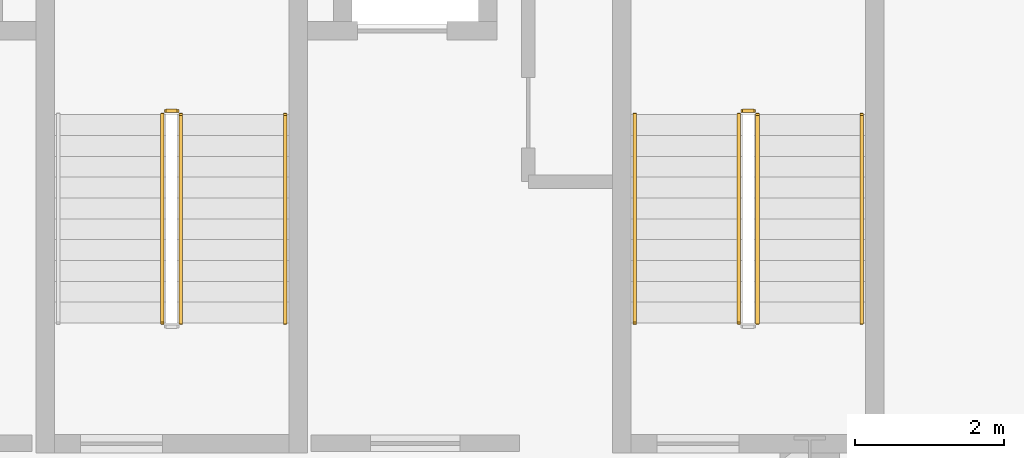
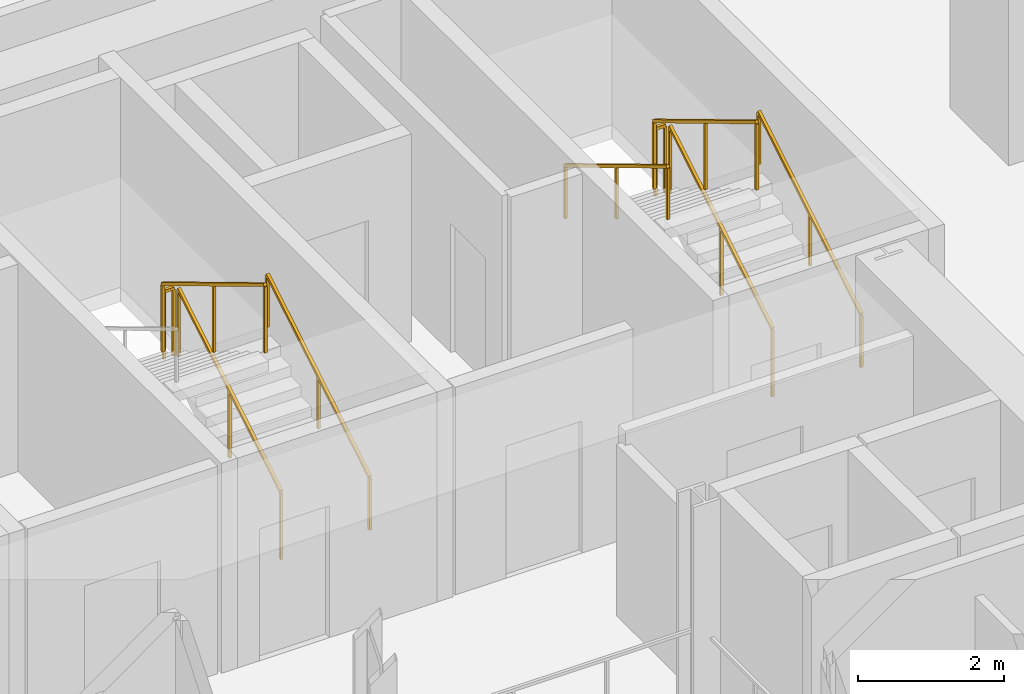
# One storey, part 14 of 14: 9 railings.
"""IFC4 building model written with IfcOpenShell, lengths in metres."""

from ifc_helpers import new_model, si_unit, direction, frame, origin, origin_2d, place, context, subcontext, project, spatial, rectangle, extrude, source, transform, mapped, material, type_object, element, save


model = new_model("IFC4")

# Units and contexts
model_context = context("Model", 3, precision=1e-05, world=origin(), true_north=direction((0.0, 1.0)))
body_context = subcontext(model_context, "Body", "Model", "MODEL_VIEW")
ifc_project = project(units=[si_unit("LENGTHUNIT", "METRE"), si_unit("AREAUNIT", "SQUARE_METRE"), si_unit("VOLUMEUNIT", "CUBIC_METRE"), si_unit("PLANEANGLEUNIT", "RADIAN"), si_unit("MASSUNIT", "GRAM", prefix="KILO")], contexts=[model_context])

# Site, building, storey
site_placement = place(None, origin())
site = spatial("IfcSite", under=ifc_project, at=site_placement, CompositionType="ELEMENT")
building_placement = place(site_placement, origin())
building = spatial("IfcBuilding", under=site, at=building_placement, Name="Vardaveli Station Tower", CompositionType="ELEMENT")
storey_placement = place(building_placement, frame((0.0, 0.0, 122.39990234375)))
storey = spatial("IfcBuildingStorey", under=building, at=storey_placement, Name="L31", CompositionType="ELEMENT", Elevation=122.39990234375)

# Railings
ifc_material = material(Name="Brushed AISI 316 stainless steel", Category="steel")
railing_type_1 = type_object("IfcRailingType", Name="RL-GUARD-1150", PredefinedType="GUARDRAIL", material=ifc_material)
shared_shape_1 = source(origin(), body_context, "Body", "SweptSolid", [
    extrude(rectangle(XDim=0.048095703125, YDim=0.048095703125, at=origin_2d()), frame((0.0, 0.0, 1.1259765625), z_axis=(-1.0, 0.0, 0.0), x_axis=(0.0, -1.0, 0.0)), (0.0, 0.0, 1.0), 0.14990234375),
    extrude(rectangle(XDim=0.0419921875, YDim=0.0419921875, at=origin_2d()), origin(), (0.0, 0.0, 1.0), 1.101806640625),
    extrude(rectangle(XDim=0.0419921875, YDim=0.0419921875, at=origin_2d()), frame((-0.14990234375, 0.0, 0.0)), (0.0, 0.0, 1.0), 1.101806640625),
])
for number, where, name in (
    (1, (38.0, 35.25, 1.85009765625), "L31 ST-2 stair guard 2"),
    (2, (45.75, 35.25, 1.85009765625), "L31 ST-3 stair guard 2"),
):
    element("IfcRailing", number, at=place(storey_placement, frame(where)), inside=storey, type_object=railing_type_1, Name=name, PredefinedType="GUARDRAIL", context=body_context, shape_type="MappedRepresentation", body=[
        mapped(shared_shape_1, transform((0.0, 0.0, 0.0), scale=1.0)),
    ])
shared_shape_2 = source(origin(), body_context, "Body", "SweptSolid", [
    extrude(rectangle(XDim=0.048095703125, YDim=0.048095703125, at=origin_2d()), frame((0.0, 0.0, 1.1259765625), z_axis=(0.0, -0.857242210791, 0.514913383045), x_axis=(1.0, 0.0, 0.0)), (0.0, 0.0, 1.0), 3.266357421875),
    extrude(rectangle(XDim=0.0419921875, YDim=0.0419921875, at=origin_2d()), origin(), (0.0, 0.0, 1.0), 1.101806640625),
    extrude(rectangle(XDim=0.0419921875, YDim=0.0419921875, at=origin_2d()), frame((0.0, -1.39990234375, 0.8408203125)), (0.0, 0.0, 1.0), 1.101806640625),
    extrude(rectangle(XDim=0.0419921875, YDim=0.0419921875, at=origin_2d()), frame((0.0, -2.800048828125, 1.681884765625)), (0.0, 0.0, 1.0), 1.101806640625),
])
for number, where, name in (
    (3, (37.800048828125, 35.199951171875, 2.018310546875), "L31 ST-2 stair guard 3"),
    (4, (45.550048828125, 35.199951171875, 2.018310546875), "L31 ST-3 stair guard 3"),
):
    element("IfcRailing", number, at=place(storey_placement, frame(where)), inside=storey, type_object=railing_type_1, Name=name, PredefinedType="GUARDRAIL", context=body_context, shape_type="MappedRepresentation", body=[
        mapped(shared_shape_2, transform((0.0, 0.0, 0.0), scale=1.0)),
    ])
railing_type_2 = type_object("IfcRailingType", Name="RL-HAND-900", PredefinedType="HANDRAIL", material=ifc_material)
shared_shape_3 = source(origin(), body_context, "Body", "SweptSolid", [
    extrude(rectangle(XDim=0.048095703125, YDim=0.048095703125, at=origin_2d()), frame((0.0, 0.0, 0.8759765625), z_axis=(0.0, -0.857242210791, 0.514913383045), x_axis=(1.0, 0.0, 0.0)), (0.0, 0.0, 1.0), 3.266357421875),
    extrude(rectangle(XDim=0.0419921875, YDim=0.0419921875, at=origin_2d()), origin(), (0.0, 0.0, 1.0), 0.851806640625),
    extrude(rectangle(XDim=0.0419921875, YDim=0.0419921875, at=origin_2d()), frame((0.0, -1.39990234375, 0.8408203125)), (0.0, 0.0, 1.0), 0.851806640625),
    extrude(rectangle(XDim=0.0419921875, YDim=0.0419921875, at=origin_2d()), frame((0.0, -2.800048828125, 1.681884765625)), (0.0, 0.0, 1.0), 0.851806640625),
])
railing_placement = place(storey_placement, frame((44.14990234375, 35.199951171875, 2.018310546875)))
element("IfcRailing", 5, at=railing_placement, inside=storey, type_object=railing_type_2, Name="L31 ST-3 stair handrail 2", PredefinedType="HANDRAIL", context=body_context, shape_type="MappedRepresentation", body=[
    mapped(shared_shape_3, transform((0.0, 0.0, 0.0), scale=1.0)),
])
shared_shape_4 = source(origin(), body_context, "Body", "SweptSolid", [
    extrude(rectangle(XDim=0.048095703125, YDim=0.048095703125, at=origin_2d()), frame((0.0, 0.0, 1.1259765625), z_axis=(0.0, 0.857242210791, 0.514913383045), x_axis=(-1.0, 0.0, 0.0)), (0.0, 0.0, 1.0), 3.266357421875),
    extrude(rectangle(XDim=0.0419921875, YDim=0.0419921875, at=origin_2d()), origin(), (0.0, 0.0, 1.0), 1.101806640625),
    extrude(rectangle(XDim=0.0419921875, YDim=0.0419921875, at=origin_2d()), frame((0.0, 1.39990234375, 0.8408203125)), (0.0, 0.0, 1.0), 1.101806640625),
    extrude(rectangle(XDim=0.0419921875, YDim=0.0419921875, at=origin_2d()), frame((0.0, 2.800048828125, 1.681884765625)), (0.0, 0.0, 1.0), 1.101806640625),
])
for number, where, name in (
    (6, (38.050048828125, 32.39990234375, 0.168212890625), "L31 ST-2 stair guard 1"),
    (7, (45.800048828125, 32.39990234375, 0.168212890625), "L31 ST-3 stair guard 1"),
):
    element("IfcRailing", number, at=place(storey_placement, frame(where)), inside=storey, type_object=railing_type_1, Name=name, PredefinedType="GUARDRAIL", context=body_context, shape_type="MappedRepresentation", body=[
        mapped(shared_shape_4, transform((0.0, 0.0, 0.0), scale=1.0)),
    ])
shared_shape_5 = source(origin(), body_context, "Body", "SweptSolid", [
    extrude(rectangle(XDim=0.048095703125, YDim=0.048095703125, at=origin_2d()), frame((0.0, 0.0, 0.8759765625), z_axis=(0.0, 0.857242210791, 0.514913383045), x_axis=(-1.0, 0.0, 0.0)), (0.0, 0.0, 1.0), 3.266357421875),
    extrude(rectangle(XDim=0.0419921875, YDim=0.0419921875, at=origin_2d()), origin(), (0.0, 0.0, 1.0), 0.851806640625),
    extrude(rectangle(XDim=0.0419921875, YDim=0.0419921875, at=origin_2d()), frame((0.0, 1.39990234375, 0.8408203125)), (0.0, 0.0, 1.0), 0.851806640625),
    extrude(rectangle(XDim=0.0419921875, YDim=0.0419921875, at=origin_2d()), frame((0.0, 2.800048828125, 1.681884765625)), (0.0, 0.0, 1.0), 0.851806640625),
])
for number, where, name in (
    (8, (39.449951171875, 32.39990234375, 0.168212890625), "L31 ST-2 stair handrail 1"),
    (9, (47.199951171875, 32.39990234375, 0.168212890625), "L31 ST-3 stair handrail 1"),
):
    element("IfcRailing", number, at=place(storey_placement, frame(where)), inside=storey, type_object=railing_type_2, Name=name, PredefinedType="HANDRAIL", context=body_context, shape_type="MappedRepresentation", body=[
        mapped(shared_shape_5, transform((0.0, 0.0, 0.0), scale=1.0)),
    ])

save(model, "model.ifc")
